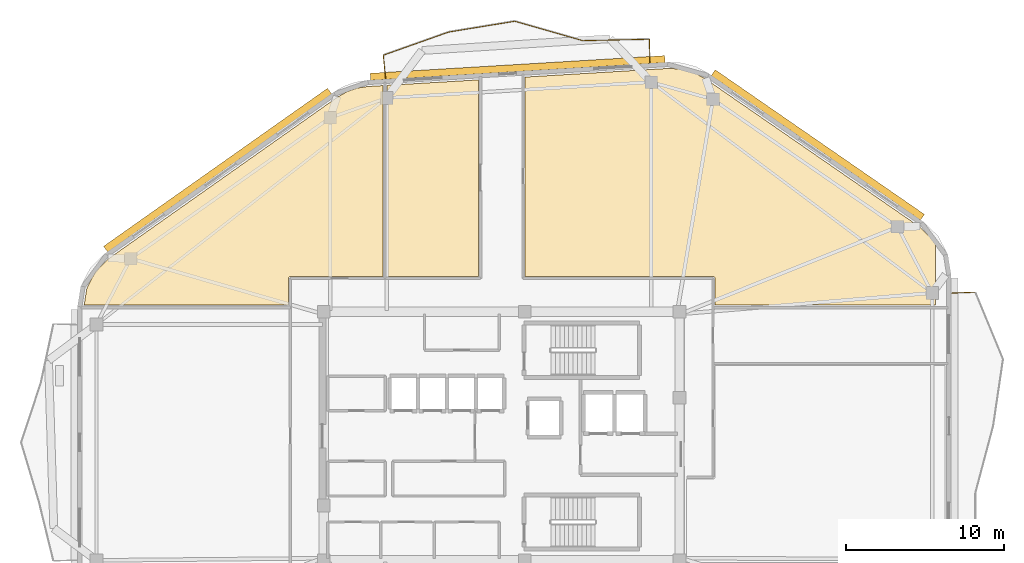
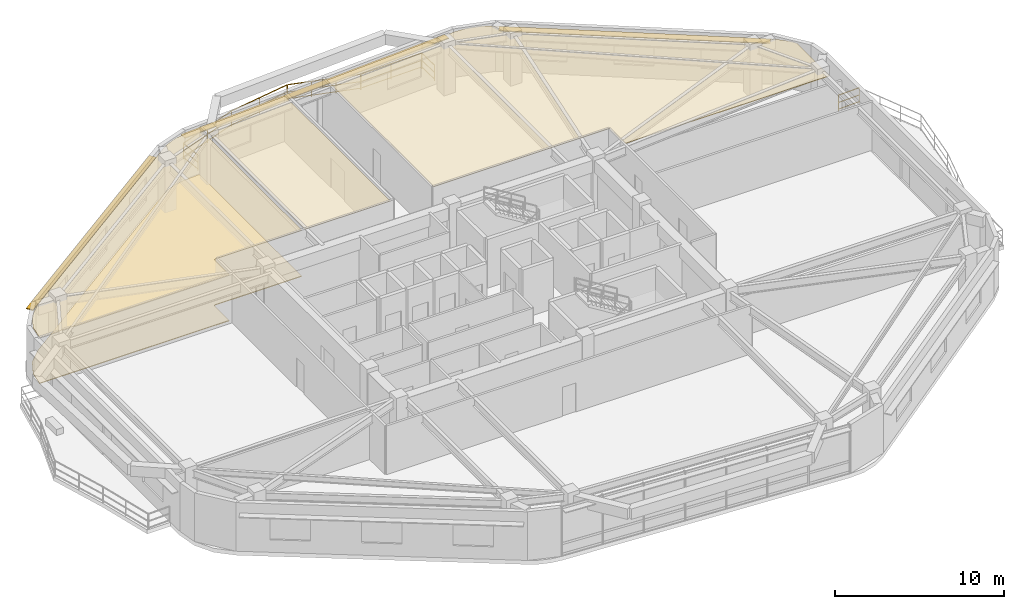
# One storey, part 12 of 12: 7 railings, 4 coverings, 3 shading devices.
"""IFC4 building model written with IfcOpenShell, lengths in metres."""

from ifc_helpers import new_model, si_unit, direction, frame, origin, origin_2d, place, context, subcontext, project, spatial, polyline, rectangle, outline, extrude, material, layer, layer_set, type_object, element, save


model = new_model("IFC4")

# Units and contexts
model_context = context("Model", 3, precision=1e-05, world=origin(), true_north=direction((0.0, 1.0)))
body_context = subcontext(model_context, "Body", "Model", "MODEL_VIEW")
ifc_project = project(units=[si_unit("LENGTHUNIT", "METRE"), si_unit("AREAUNIT", "SQUARE_METRE"), si_unit("VOLUMEUNIT", "CUBIC_METRE"), si_unit("PLANEANGLEUNIT", "RADIAN"), si_unit("MASSUNIT", "GRAM", prefix="KILO")], contexts=[model_context])

# Site, building, storey
site_placement = place(None, origin())
site = spatial("IfcSite", under=ifc_project, at=site_placement, CompositionType="ELEMENT")
building_placement = place(site_placement, origin())
building = spatial("IfcBuilding", under=site, at=building_placement, Name="Zulverin Broadcast Headquarters", CompositionType="ELEMENT")
storey_placement = place(building_placement, frame((0.0, 0.0, 255.39990234375)))
storey = spatial("IfcBuildingStorey", under=building, at=storey_placement, Name="L65", CompositionType="ELEMENT", Elevation=255.39990234375)

# Coverings
ifc_material_1 = material(Name="Perforated pale-metal acoustic baffle ceiling", Category="aluminium")
ifc_layer_1 = layer(ifc_material_1, 0.0400390625, Name="Perforated pale-metal acoustic baffle ceiling", Category="aluminium")
ifc_layer_set_1 = layer_set([ifc_layer_1], Name="Perforated pale-metal acoustic baffle ceiling")
covering_type_1 = type_object("IfcCoveringType", Name="COV-CEIL-ACOU", PredefinedType="CEILING", material=ifc_layer_set_1)
covering_1_placement = place(storey_placement, frame((0.0, 0.0, 3.330078125)))
element("IfcCovering", 1, at=covering_1_placement, inside=storey, type_object=covering_type_1, Name="L65 Acoustic Baffle Ceiling 01", PredefinedType="CEILING", context=body_context, shape_type="SweptSolid", body=[
    extrude(outline(polyline([(12.092041015625, 36.468017578125), (11.22802734375, 35.6240234375), (10.69189453125, 34.580078125), (10.51611328125, 33.5), (23.47998046875, 33.5), (23.47998046875, 35.199951171875), (23.47998046875, 35.2119140625), (23.48388671875, 35.22412109375), (23.48388671875, 35.236083984375), (23.488037109375, 35.243896484375), (23.49609375, 35.256103515625), (23.5, 35.26806640625), (23.508056640625, 35.27587890625), (23.51611328125, 35.283935546875), (23.52392578125, 35.2919921875), (23.531982421875, 35.300048828125), (23.5439453125, 35.303955078125), (23.555908203125, 35.31201171875), (23.56396484375, 35.31591796875), (23.575927734375, 35.31591796875), (23.587890625, 35.320068359375), (23.60009765625, 35.320068359375), (29.47998046875, 35.320068359375), (29.47998046875, 47.427978515625), (28.52392578125, 47.3720703125), (27.827880859375, 47.26806640625), (27.18798828125, 47.0400390625), (26.575927734375, 46.69189453125), (12.092041015625, 36.468017578125)])), origin(), (0.0, 0.0, 1.0), 0.0400390625),
])
covering_2_placement = place(storey_placement, frame((0.0, 0.0, 3.330078125)))
element("IfcCovering", 2, at=covering_2_placement, inside=storey, type_object=covering_type_1, Name="L65 Acoustic Baffle Ceiling 02", PredefinedType="CEILING", context=body_context, shape_type="SweptSolid", body=[
    extrude(outline(polyline([(35.531982421875, 35.320068359375), (35.531982421875, 47.7919921875), (29.719970703125, 47.444091796875), (29.719970703125, 35.320068359375), (35.531982421875, 35.320068359375)])), origin(), (0.0, 0.0, 1.0), 0.0400390625),
])
covering_3_placement = place(storey_placement, frame((0.0, 0.0, 3.330078125)))
element("IfcCovering", 3, at=covering_3_placement, inside=storey, type_object=covering_type_1, Name="L65 Acoustic Baffle Ceiling 03", PredefinedType="CEILING", context=body_context, shape_type="SweptSolid", body=[
    extrude(outline(polyline([(47.56005859375, 48.51611328125), (38.471923828125, 47.968017578125), (38.471923828125, 35.320068359375), (50.39990234375, 35.320068359375), (50.412109375, 35.320068359375), (50.424072265625, 35.31591796875), (50.43603515625, 35.31591796875), (50.444091796875, 35.31201171875), (50.4560546875, 35.303955078125), (50.468017578125, 35.300048828125), (50.47607421875, 35.2919921875), (50.48388671875, 35.283935546875), (50.491943359375, 35.27587890625), (50.5, 35.26806640625), (50.50390625, 35.256103515625), (50.511962890625, 35.243896484375), (50.51611328125, 35.236083984375), (50.51611328125, 35.22412109375), (50.52001953125, 35.2119140625), (50.52001953125, 35.199951171875), (50.52001953125, 33.5), (64.5, 33.5), (64.5, 37.364013671875), (64.35595703125, 37.64404296875), (63.47607421875, 38.488037109375), (49.924072265625, 47.85205078125), (49.18798828125, 48.251953125), (48.39599609375, 48.471923828125), (47.56005859375, 48.51611328125)])), origin(), (0.0, 0.0, 1.0), 0.0400390625),
])
ifc_material_2 = material(Name="Anti-static broadcast raised access flooring", Category="stone")
ifc_layer_2 = layer(ifc_material_2, 0.050048828125, Name="Anti-static broadcast raised access flooring", Category="stone")
ifc_layer_set_2 = layer_set([ifc_layer_2], Name="Anti-static broadcast raised access flooring")
covering_type_2 = type_object("IfcCoveringType", Name="COV-FLR-RAISED", PredefinedType="FLOORING", material=ifc_layer_set_2)
covering_4_placement = place(storey_placement, origin())
element("IfcCovering", 4, at=covering_4_placement, inside=storey, type_object=covering_type_2, Name="L65 Broadcast Raised Access Flooring 01", PredefinedType="FLOORING", context=body_context, shape_type="SweptSolid", body=[
    extrude(outline(polyline([(12.092041015625, 36.468017578125), (11.22802734375, 35.6240234375), (10.69189453125, 34.580078125), (10.51611328125, 33.5), (23.47998046875, 33.5), (23.47998046875, 35.199951171875), (23.47998046875, 35.2119140625), (23.48388671875, 35.22412109375), (23.48388671875, 35.236083984375), (23.488037109375, 35.243896484375), (23.49609375, 35.256103515625), (23.5, 35.26806640625), (23.508056640625, 35.27587890625), (23.51611328125, 35.283935546875), (23.52392578125, 35.2919921875), (23.531982421875, 35.300048828125), (23.5439453125, 35.303955078125), (23.555908203125, 35.31201171875), (23.56396484375, 35.31591796875), (23.575927734375, 35.31591796875), (23.587890625, 35.320068359375), (23.60009765625, 35.320068359375), (29.47998046875, 35.320068359375), (29.47998046875, 47.427978515625), (28.52392578125, 47.3720703125), (27.827880859375, 47.26806640625), (27.18798828125, 47.0400390625), (26.575927734375, 46.69189453125), (12.092041015625, 36.468017578125)])), origin(), (0.0, 0.0, 1.0), 0.050048828125),
])

# Railings
ifc_material_3 = material(Name="Brushed stainless steel & laminated glass balustrade", Category="steel")
railing_type = type_object("IfcRailingType", Name="RL-GUARD-1150", PredefinedType="GUARDRAIL", material=ifc_material_3)
railing_1_placement = place(storey_placement, frame((67.0048828125, 34.3251953125, 0.0)))
element("IfcRailing", 5, at=railing_1_placement, inside=storey, type_object=railing_type, Name="L65 Vertical-Forest Balcony Guardrail BAL_E Segment 06", PredefinedType="GUARDRAIL", context=body_context, shape_type="SweptSolid", body=[
    extrude(rectangle(XDim=0.048095703125, YDim=0.048095703125, at=origin_2d()), frame((0.0, 0.0, 1.1259765625), z_axis=(-0.999174135318, -0.040633081503, 0.0), x_axis=(0.040633081503, -0.999174135318, 0.0)), (0.0, 0.0, 1.0), 1.466064453125),
    extrude(rectangle(XDim=0.0419921875, YDim=0.0419921875, at=origin_2d()), frame((0.0, 0.0, 0.597900390625), z_axis=(-0.999174135318, -0.040633081503, 0.0), x_axis=(0.040633081503, -0.999174135318, 0.0)), (0.0, 0.0, 1.0), 1.466064453125),
    extrude(rectangle(XDim=0.0419921875, YDim=0.0419921875, at=origin_2d()), frame((0.0, 0.0, 0.1201171875), z_axis=(-0.999174135318, -0.040633081503, 0.0), x_axis=(0.040633081503, -0.999174135318, 0.0)), (0.0, 0.0, 1.0), 1.466064453125),
    extrude(rectangle(XDim=0.0419921875, YDim=0.0419921875, at=origin_2d()), origin(), (0.0, 0.0, 1.0), 1.101806640625),
    extrude(rectangle(XDim=0.0419921875, YDim=0.0419921875, at=origin_2d()), frame((-1.46484375, -0.0595703125, 0.0)), (0.0, 0.0, 1.0), 1.101806640625),
])
railing_2_placement = place(storey_placement, frame((46.397216796875, 48.885498046875, 0.0)))
element("IfcRailing", 6, at=railing_2_placement, inside=storey, type_object=railing_type, Name="L65 Vertical-Forest Balcony Guardrail BAL_N Segment 01", PredefinedType="GUARDRAIL", context=body_context, shape_type="SweptSolid", body=[
    extrude(rectangle(XDim=0.048095703125, YDim=0.048095703125, at=origin_2d()), frame((0.0, 0.0, 1.1259765625), z_axis=(-0.019480066399, 0.999810245503, 0.0), x_axis=(-0.999810245503, -0.019480066399, 0.0)), (0.0, 0.0, 1.0), 1.46630859375),
    extrude(rectangle(XDim=0.0419921875, YDim=0.0419921875, at=origin_2d()), frame((0.0, 0.0, 0.597900390625), z_axis=(-0.019480066399, 0.999810245503, 0.0), x_axis=(-0.999810245503, -0.019480066399, 0.0)), (0.0, 0.0, 1.0), 1.46630859375),
    extrude(rectangle(XDim=0.0419921875, YDim=0.0419921875, at=origin_2d()), frame((0.0, 0.0, 0.1201171875), z_axis=(-0.019480066399, 0.999810245503, 0.0), x_axis=(-0.999810245503, -0.019480066399, 0.0)), (0.0, 0.0, 1.0), 1.46630859375),
    extrude(rectangle(XDim=0.0419921875, YDim=0.0419921875, at=origin_2d()), origin(), (0.0, 0.0, 1.0), 1.101806640625),
    extrude(rectangle(XDim=0.0419921875, YDim=0.0419921875, at=origin_2d()), frame((-0.028564453125, 1.466064453125, 0.0)), (0.0, 0.0, 1.0), 1.101806640625),
])
railing_3_placement = place(storey_placement, frame((46.353271484375, 50.3662109375, 0.0)))
element("IfcRailing", 7, at=railing_3_placement, inside=storey, type_object=railing_type, Name="L65 Vertical-Forest Balcony Guardrail BAL_N Segment 02", PredefinedType="GUARDRAIL", context=body_context, shape_type="SweptSolid", body=[
    extrude(rectangle(XDim=0.048095703125, YDim=0.048095703125, at=origin_2d()), frame((0.0, 0.0, 1.1259765625), z_axis=(-0.999774990552, -0.021212455476, 0.0), x_axis=(0.021212455476, -0.999774990552, 0.0)), (0.0, 0.0, 1.0), 4.200927734375),
    extrude(rectangle(XDim=0.0419921875, YDim=0.0419921875, at=origin_2d()), frame((0.0, 0.0, 0.597900390625), z_axis=(-0.999774990552, -0.021212455476, 0.0), x_axis=(0.021212455476, -0.999774990552, 0.0)), (0.0, 0.0, 1.0), 4.200927734375),
    extrude(rectangle(XDim=0.0419921875, YDim=0.0419921875, at=origin_2d()), frame((0.0, 0.0, 0.1201171875), z_axis=(-0.999774990552, -0.021212455476, 0.0), x_axis=(0.021212455476, -0.999774990552, 0.0)), (0.0, 0.0, 1.0), 4.200927734375),
    extrude(rectangle(XDim=0.0419921875, YDim=0.0419921875, at=origin_2d()), origin(), (0.0, 0.0, 1.0), 1.101806640625),
    extrude(rectangle(XDim=0.0419921875, YDim=0.0419921875, at=origin_2d()), frame((-2.10009765625, -0.04443359375, 0.0)), (0.0, 0.0, 1.0), 1.101806640625),
    extrude(rectangle(XDim=0.0419921875, YDim=0.0419921875, at=origin_2d()), frame((-4.199951171875, -0.089111328125, 0.0)), (0.0, 0.0, 1.0), 1.101806640625),
])
railing_4_placement = place(storey_placement, frame((42.1240234375, 50.281005859375, 0.0)))
element("IfcRailing", 8, at=railing_4_placement, inside=storey, type_object=railing_type, Name="L65 Vertical-Forest Balcony Guardrail BAL_N Segment 03", PredefinedType="GUARDRAIL", context=body_context, shape_type="SweptSolid", body=[
    extrude(rectangle(XDim=0.048095703125, YDim=0.048095703125, at=origin_2d()), frame((0.0, 0.0, 1.1259765625), z_axis=(-0.961559121941, 0.274597987997, 0.0), x_axis=(-0.274597987997, -0.961559121941, 0.0)), (0.0, 0.0, 1.0), 4.45166015625),
    extrude(rectangle(XDim=0.0419921875, YDim=0.0419921875, at=origin_2d()), frame((0.0, 0.0, 0.597900390625), z_axis=(-0.961559121941, 0.274597987997, 0.0), x_axis=(-0.274597987997, -0.961559121941, 0.0)), (0.0, 0.0, 1.0), 4.45166015625),
    extrude(rectangle(XDim=0.0419921875, YDim=0.0419921875, at=origin_2d()), frame((0.0, 0.0, 0.1201171875), z_axis=(-0.961559121941, 0.274597987997, 0.0), x_axis=(-0.274597987997, -0.961559121941, 0.0)), (0.0, 0.0, 1.0), 4.45166015625),
    extrude(rectangle(XDim=0.0419921875, YDim=0.0419921875, at=origin_2d()), origin(), (0.0, 0.0, 1.0), 1.101806640625),
    extrude(rectangle(XDim=0.0419921875, YDim=0.0419921875, at=origin_2d()), frame((-1.4267578125, 0.407470703125, 0.0)), (0.0, 0.0, 1.0), 1.101806640625),
    extrude(rectangle(XDim=0.0419921875, YDim=0.0419921875, at=origin_2d()), frame((-2.853759765625, 0.81494140625, 0.0)), (0.0, 0.0, 1.0), 1.101806640625),
    extrude(rectangle(XDim=0.0419921875, YDim=0.0419921875, at=origin_2d()), frame((-4.280517578125, 1.222412109375, 0.0)), (0.0, 0.0, 1.0), 1.101806640625),
])
railing_5_placement = place(storey_placement, frame((37.814453125, 51.505126953125, 0.0)))
element("IfcRailing", 9, at=railing_5_placement, inside=storey, type_object=railing_type, Name="L65 Vertical-Forest Balcony Guardrail BAL_N Segment 04", PredefinedType="GUARDRAIL", context=body_context, shape_type="SweptSolid", body=[
    extrude(rectangle(XDim=0.048095703125, YDim=0.048095703125, at=origin_2d()), frame((0.0, 0.0, 1.1259765625), z_axis=(-0.986952588765, -0.161011141013, 0.0), x_axis=(0.161011141013, -0.986952588765, 0.0)), (0.0, 0.0, 1.0), 4.219970703125),
    extrude(rectangle(XDim=0.0419921875, YDim=0.0419921875, at=origin_2d()), frame((0.0, 0.0, 0.597900390625), z_axis=(-0.986952588765, -0.161011141013, 0.0), x_axis=(0.161011141013, -0.986952588765, 0.0)), (0.0, 0.0, 1.0), 4.219970703125),
    extrude(rectangle(XDim=0.0419921875, YDim=0.0419921875, at=origin_2d()), frame((0.0, 0.0, 0.1201171875), z_axis=(-0.986952588765, -0.161011141013, 0.0), x_axis=(0.161011141013, -0.986952588765, 0.0)), (0.0, 0.0, 1.0), 4.219970703125),
    extrude(rectangle(XDim=0.0419921875, YDim=0.0419921875, at=origin_2d()), origin(), (0.0, 0.0, 1.0), 1.101806640625),
    extrude(rectangle(XDim=0.0419921875, YDim=0.0419921875, at=origin_2d()), frame((-2.08251953125, -0.33984375, 0.0)), (0.0, 0.0, 1.0), 1.101806640625),
    extrude(rectangle(XDim=0.0419921875, YDim=0.0419921875, at=origin_2d()), frame((-4.164794921875, -0.679443359375, 0.0)), (0.0, 0.0, 1.0), 1.101806640625),
])
railing_6_placement = place(storey_placement, frame((33.620849609375, 50.818115234375, 0.0)))
element("IfcRailing", 10, at=railing_6_placement, inside=storey, type_object=railing_type, Name="L65 Vertical-Forest Balcony Guardrail BAL_N Segment 05", PredefinedType="GUARDRAIL", context=body_context, shape_type="SweptSolid", body=[
    extrude(rectangle(XDim=0.048095703125, YDim=0.048095703125, at=origin_2d()), frame((0.0, 0.0, 1.1259765625), z_axis=(-0.942541852494, -0.33408809661, 0.0), x_axis=(0.33408809661, -0.942541852494, 0.0)), (0.0, 0.0, 1.0), 4.369873046875),
    extrude(rectangle(XDim=0.0419921875, YDim=0.0419921875, at=origin_2d()), frame((0.0, 0.0, 0.597900390625), z_axis=(-0.942541852494, -0.33408809661, 0.0), x_axis=(0.33408809661, -0.942541852494, 0.0)), (0.0, 0.0, 1.0), 4.369873046875),
    extrude(rectangle(XDim=0.0419921875, YDim=0.0419921875, at=origin_2d()), frame((0.0, 0.0, 0.1201171875), z_axis=(-0.942541852494, -0.33408809661, 0.0), x_axis=(0.33408809661, -0.942541852494, 0.0)), (0.0, 0.0, 1.0), 4.369873046875),
    extrude(rectangle(XDim=0.0419921875, YDim=0.0419921875, at=origin_2d()), origin(), (0.0, 0.0, 1.0), 1.101806640625),
    extrude(rectangle(XDim=0.0419921875, YDim=0.0419921875, at=origin_2d()), frame((-2.0595703125, -0.72998046875, 0.0)), (0.0, 0.0, 1.0), 1.101806640625),
    extrude(rectangle(XDim=0.0419921875, YDim=0.0419921875, at=origin_2d()), frame((-4.118896484375, -1.4599609375, 0.0)), (0.0, 0.0, 1.0), 1.101806640625),
])
railing_7_placement = place(storey_placement, frame((29.489501953125, 49.338134765625, 0.0)))
element("IfcRailing", 11, at=railing_7_placement, inside=storey, type_object=railing_type, Name="L65 Vertical-Forest Balcony Guardrail BAL_N Segment 06", PredefinedType="GUARDRAIL", context=body_context, shape_type="SweptSolid", body=[
    extrude(rectangle(XDim=0.048095703125, YDim=0.048095703125, at=origin_2d()), frame((0.0, 0.0, 1.1259765625), z_axis=(0.100245616419, -0.994962721105, 0.0), x_axis=(0.994962721105, 0.100245616419, 0.0)), (0.0, 0.0, 1.0), 1.466064453125),
    extrude(rectangle(XDim=0.0419921875, YDim=0.0419921875, at=origin_2d()), frame((0.0, 0.0, 0.597900390625), z_axis=(0.100245616419, -0.994962721105, 0.0), x_axis=(0.994962721105, 0.100245616419, 0.0)), (0.0, 0.0, 1.0), 1.466064453125),
    extrude(rectangle(XDim=0.0419921875, YDim=0.0419921875, at=origin_2d()), frame((0.0, 0.0, 0.1201171875), z_axis=(0.100245616419, -0.994962721105, 0.0), x_axis=(0.994962721105, 0.100245616419, 0.0)), (0.0, 0.0, 1.0), 1.466064453125),
    extrude(rectangle(XDim=0.0419921875, YDim=0.0419921875, at=origin_2d()), origin(), (0.0, 0.0, 1.0), 1.101806640625),
    extrude(rectangle(XDim=0.0419921875, YDim=0.0419921875, at=origin_2d()), frame((0.14697265625, -1.458740234375, 0.0)), (0.0, 0.0, 1.0), 1.101806640625),
])

# Shading devices
ifc_material_4 = material(Name="Anodized pale-metal aluminium sunshade", Category="aluminium")
ifc_layer_3 = layer(ifc_material_4, 0.06005859375, Name="Anodized pale-metal aluminium sunshade", Category="aluminium")
ifc_layer_set_3 = layer_set([ifc_layer_3], Name="Anodized pale-metal aluminium sunshade")
shading_device_type = type_object("IfcShadingDeviceType", Name="SS-01_PALE_METAL_ALUMINIUM_SUNSHADE", PredefinedType="USERDEFINED", material=ifc_layer_set_3)
shading_device_1_placement = place(storey_placement, frame((57.04638671875, 43.66162109375, 2.7099609375), z_axis=(0.0, 0.0, 1.0), x_axis=(-0.822655402653, 0.568540313861, 0.0)))
element("IfcShadingDevice", 12, at=shading_device_1_placement, inside=storey, type_object=shading_device_type, Name="L65 Horizontal Pale-Metal Sunshade Band 4", ObjectType="SUNSHADE", PredefinedType="USERDEFINED", context=body_context, shape_type="SweptSolid", body=[
    extrude(rectangle(XDim=16.1279296875, YDim=0.449951171875, at=origin_2d()), origin(), (0.0, 0.0, 1.0), 0.06005859375),
])
shading_device_2_placement = place(storey_placement, frame((38.007080078125, 48.542236328125, 2.7099609375), z_axis=(0.0, 0.0, 1.0), x_axis=(-0.99820257679, -0.059930090026, 0.0)))
element("IfcShadingDevice", 13, at=shading_device_2_placement, inside=storey, type_object=shading_device_type, Name="L65 Horizontal Pale-Metal Sunshade Band 5", ObjectType="SUNSHADE", PredefinedType="USERDEFINED", context=body_context, shape_type="SweptSolid", body=[
    extrude(rectangle(XDim=18.710693359375, YDim=0.449951171875, at=origin_2d()), origin(), (0.0, 0.0, 1.0), 0.06005859375),
])
shading_device_3_placement = place(storey_placement, frame((18.98388671875, 42.064453125, 2.7099609375), z_axis=(0.0, 0.0, 1.0), x_axis=(-0.817023146348, -0.576604871929, 0.0)))
element("IfcShadingDevice", 14, at=shading_device_3_placement, inside=storey, type_object=shading_device_type, Name="L65 Horizontal Pale-Metal Sunshade Band 6", ObjectType="SUNSHADE", PredefinedType="USERDEFINED", context=body_context, shape_type="SweptSolid", body=[
    extrude(rectangle(XDim=17.3798828125, YDim=0.449951171875, at=origin_2d()), origin(), (0.0, 0.0, 1.0), 0.06005859375),
])

save(model, "model.ifc")
